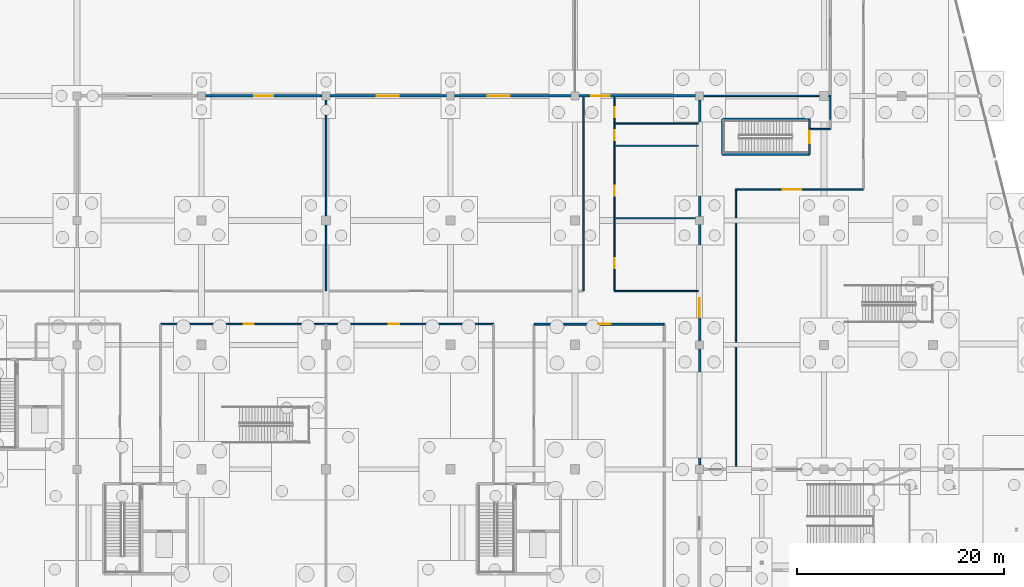
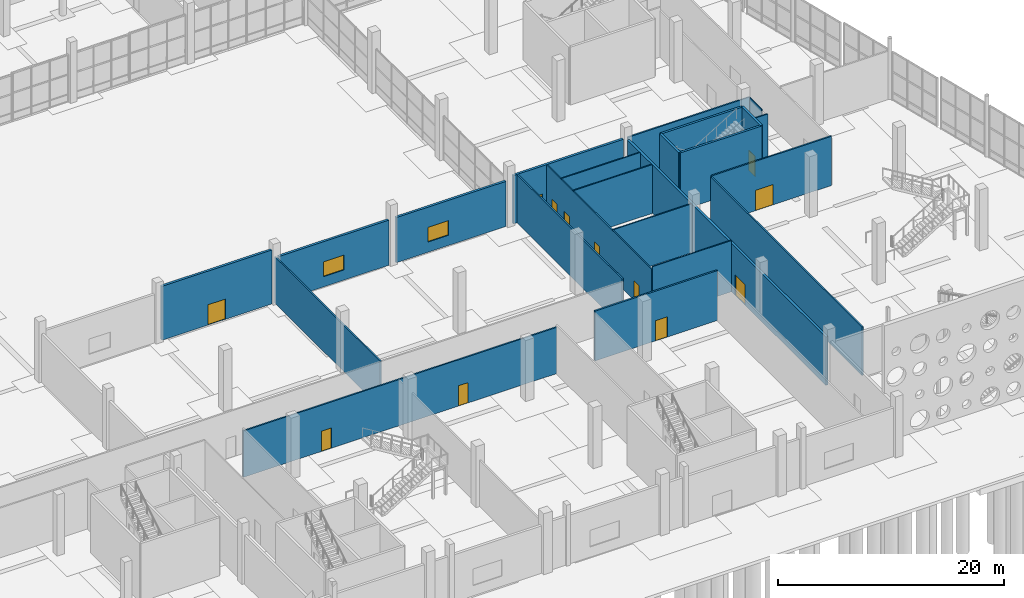
# One storey, part 90 of 117: 23 walls, 12 doors, 2 windows, 14 openings.
"""IFC4 building model written with IfcOpenShell, lengths in metres."""

from ifc_helpers import new_model, si_unit, direction, frame, frame_2d, origin, place, context, subcontext, project, spatial, rectangle, extrude, material, layer, layer_set, type_object, element, fill, save


model = new_model("IFC4")

# Units and contexts
model_context = context("Model", 3, precision=1e-05, world=origin(), true_north=direction((0.0, 1.0)))
body_context = subcontext(model_context, "Body", "Model", "MODEL_VIEW")
ifc_project = project(units=[si_unit("LENGTHUNIT", "METRE"), si_unit("AREAUNIT", "SQUARE_METRE"), si_unit("VOLUMEUNIT", "CUBIC_METRE"), si_unit("PLANEANGLEUNIT", "RADIAN"), si_unit("MASSUNIT", "GRAM", prefix="KILO")], contexts=[model_context])

# Site, building, storey
site_placement = place(None, origin())
site = spatial("IfcSite", under=ifc_project, at=site_placement, CompositionType="ELEMENT")
building_placement = place(site_placement, origin())
building = spatial("IfcBuilding", under=site, at=building_placement, Name="Kamomehara Wholesale Market", CompositionType="ELEMENT")
storey_placement = place(building_placement, origin())
storey = spatial("IfcBuildingStorey", under=building, at=storey_placement, Name="L00", CompositionType="ELEMENT", Elevation=0.0)

# Wall, opening, door
ifc_material_1 = material(Name="Precast concrete Fc45 (C40/50)", Category="concrete")
ifc_layer_1 = layer(ifc_material_1, 0.239990234375)
ifc_layer_set_1 = layer_set([ifc_layer_1], Name="Precast concrete Fc45 (C40/50)")
wall_type_1 = type_object("IfcWallType", Name="EW-PC-240", PredefinedType="SOLIDWALL", material=ifc_layer_set_1)
wall_1_placement = place(storey_placement, frame((120.375, 60.0, 0.0), z_axis=(0.0, 0.0, 1.0), x_axis=(1.0, 0.0, 0.0)))
wall_1 = element("IfcWall", 1, at=wall_1_placement, inside=storey, type_object=wall_type_1, Name="Exterior wall EW-PC-240 96", PredefinedType="SOLIDWALL", context=body_context, shape_type="SweptSolid", body=[
    extrude(rectangle(XDim=11.25, YDim=0.239990234375, at=frame_2d((5.625, 0.0))), origin(), (0.0, 0.0, 1.0), 5.843017578125),
])
opening_1_placement = place(wall_1_placement, frame((4.72509765625, 0.0, 0.0)))
opening_1 = element("IfcOpeningElement", 2, at=opening_1_placement, cuts=wall_1, Name="Opening ED-L00-V5N", PredefinedType="OPENING", context=body_context, shape_type="SweptSolid", body=[
    extrude(rectangle(XDim=1.800048828125, YDim=2.199951171875, at=frame_2d((0.89990234375, 1.10009765625))), frame((0.0, 0.134765625, 0.0), z_axis=(0.0, -1.0, 0.0), x_axis=(1.0, 0.0, 0.0)), (0.0, 0.0, 1.0), 0.269775390625),
])
ifc_material_2 = material(Name="Anodised aluminium 6063-T5", Category="aluminium")
door_type_1 = type_object("IfcDoorType", Name="EDR-1800x2200", OperationType="NOTDEFINED", PredefinedType="DOOR", material=ifc_material_2)
door_1_placement = place(opening_1_placement, origin())
door_1 = element("IfcDoor", 3, at=door_1_placement, inside=storey, type_object=door_type_1, Name="Courtyard entrance door ED-L00-V5N", OperationType="SINGLE_SWING_LEFT", OverallHeight=2.199951171875, OverallWidth=1.800048828125, PredefinedType="DOOR", context=body_context, shape_type="SweptSolid", body=[
    extrude(rectangle(XDim=1.800048828125, YDim=2.199951171875, at=frame_2d((0.89990234375, 1.10009765625))), frame((0.0, 0.02490234375, 0.0), z_axis=(0.0, -1.0, 0.0), x_axis=(1.0, 0.0, 0.0)), (0.0, 0.0, 1.0), 0.050048828125),
])
fill(opening_1, door_1)

# Wall, opening, window
wall_2_placement = place(storey_placement, frame((132.375, 60.0, 0.0), z_axis=(0.0, 0.0, 1.0), x_axis=(1.0, 0.0, 0.0)))
wall_2 = element("IfcWall", 4, at=wall_2_placement, inside=storey, type_object=wall_type_1, Name="Exterior wall EW-PC-240 98", PredefinedType="SOLIDWALL", context=body_context, shape_type="SweptSolid", body=[
    extrude(rectangle(XDim=11.25, YDim=0.239990234375, at=frame_2d((5.625, 0.0))), origin(), (0.0, 0.0, 1.0), 4.883056640625),
])
opening_2_placement = place(wall_2_placement, frame((4.52490234375, 0.0, 1.10009765625)))
opening_2 = element("IfcOpeningElement", 5, at=opening_2_placement, cuts=wall_2, Name="Opening WN-L00-019", PredefinedType="OPENING", context=body_context, shape_type="SweptSolid", body=[
    extrude(rectangle(XDim=2.10009765625, YDim=1.60009765625, at=frame_2d((1.050048828125, 0.800048828125))), frame((0.0, 0.134765625, 0.0), z_axis=(0.0, -1.0, 0.0), x_axis=(1.0, 0.0, 0.0)), (0.0, 0.0, 1.0), 0.269775390625),
])
ifc_material_3 = material(Name="Solar-control Low-E double glazing", Category="glass")
window_type = type_object("IfcWindowType", Name="WIN-2100x1600", PartitioningType="SINGLE_PANEL", PredefinedType="WINDOW", material=ifc_material_3)
window_1_placement = place(opening_2_placement, origin())
window_1 = element("IfcWindow", 6, at=window_1_placement, inside=storey, type_object=window_type, Name="Exterior window WN-L00-019", OverallHeight=1.60009765625, OverallWidth=2.10009765625, PartitioningType="SINGLE_PANEL", PredefinedType="WINDOW", context=body_context, shape_type="SweptSolid", body=[
    extrude(rectangle(XDim=2.10009765625, YDim=1.60009765625, at=frame_2d((1.050048828125, 0.800048828125))), frame((0.0, 0.030029296875, 0.0), z_axis=(0.0, -1.0, 0.0), x_axis=(1.0, 0.0, 0.0)), (0.0, 0.0, 1.0), 0.06005859375),
])
fill(opening_2, window_1)

wall_3_placement = place(storey_placement, frame((144.375, 60.0, 0.0), z_axis=(0.0, 0.0, 1.0), x_axis=(1.0, 0.0, 0.0)))
wall_3 = element("IfcWall", 7, at=wall_3_placement, inside=storey, type_object=wall_type_1, Name="Exterior wall EW-PC-240 100", PredefinedType="SOLIDWALL", context=body_context, shape_type="SweptSolid", body=[
    extrude(rectangle(XDim=11.25, YDim=0.239990234375, at=frame_2d((5.625, 0.0))), origin(), (0.0, 0.0, 1.0), 4.883056640625),
])
opening_3_placement = place(wall_3_placement, frame((3.22509765625, 0.0, 1.10009765625)))
opening_3 = element("IfcOpeningElement", 8, at=opening_3_placement, cuts=wall_3, Name="Opening WN-L00-020", PredefinedType="OPENING", context=body_context, shape_type="SweptSolid", body=[
    extrude(rectangle(XDim=2.10009765625, YDim=1.60009765625, at=frame_2d((1.050048828125, 0.800048828125))), frame((0.0, 0.134765625, 0.0), z_axis=(0.0, -1.0, 0.0), x_axis=(1.0, 0.0, 0.0)), (0.0, 0.0, 1.0), 0.269775390625),
])
window_2_placement = place(opening_3_placement, origin())
window_2 = element("IfcWindow", 9, at=window_2_placement, inside=storey, type_object=window_type, Name="Exterior window WN-L00-020", OverallHeight=1.60009765625, OverallWidth=2.10009765625, PartitioningType="SINGLE_PANEL", PredefinedType="WINDOW", context=body_context, shape_type="SweptSolid", body=[
    extrude(rectangle(XDim=2.10009765625, YDim=1.60009765625, at=frame_2d((1.050048828125, 0.800048828125))), frame((0.0, 0.030029296875, 0.0), z_axis=(0.0, -1.0, 0.0), x_axis=(1.0, 0.0, 0.0)), (0.0, 0.0, 1.0), 0.06005859375),
])
fill(opening_3, window_2)

# Wall, opening, door
wall_4_placement = place(storey_placement, frame((156.375, 60.0, 0.0), z_axis=(0.0, 0.0, 1.0), x_axis=(1.0, 0.0, 0.0)))
wall_4 = element("IfcWall", 10, at=wall_4_placement, inside=storey, type_object=wall_type_1, Name="Exterior wall EW-PC-240 102", PredefinedType="SOLIDWALL", context=body_context, shape_type="SweptSolid", body=[
    extrude(rectangle(XDim=11.25, YDim=0.239990234375, at=frame_2d((5.625, 0.0))), origin(), (0.0, 0.0, 1.0), 5.23291015625),
])
opening_4_placement = place(wall_4_placement, frame((1.175048828125, 0.0, 0.0)))
opening_4 = element("IfcOpeningElement", 11, at=opening_4_placement, cuts=wall_4, Name="Opening ED-L00-V2C", PredefinedType="OPENING", context=body_context, shape_type="SweptSolid", body=[
    extrude(rectangle(XDim=1.800048828125, YDim=2.199951171875, at=frame_2d((0.89990234375, 1.10009765625))), frame((0.0, 0.134765625, 0.0), z_axis=(0.0, -1.0, 0.0), x_axis=(1.0, 0.0, 0.0)), (0.0, 0.0, 1.0), 0.269775390625),
])
door_2_placement = place(opening_4_placement, origin())
door_2 = element("IfcDoor", 12, at=door_2_placement, inside=storey, type_object=door_type_1, Name="Courtyard lobby door ED-L00-V2C", OperationType="SINGLE_SWING_LEFT", OverallHeight=2.199951171875, OverallWidth=1.800048828125, PredefinedType="DOOR", context=body_context, shape_type="SweptSolid", body=[
    extrude(rectangle(XDim=1.800048828125, YDim=2.199951171875, at=frame_2d((0.89990234375, 1.10009765625))), frame((0.0, 0.02490234375, 0.0), z_axis=(0.0, -1.0, 0.0), x_axis=(1.0, 0.0, 0.0)), (0.0, 0.0, 1.0), 0.050048828125),
])
fill(opening_4, door_2)

# Walls
ifc_material_4 = material(Name="Gypsum board partition")
ifc_layer_2 = layer(ifc_material_4, 0.10009765625)
ifc_layer_set_2 = layer_set([ifc_layer_2], Name="Gypsum board partition")
wall_type_2 = type_object("IfcWallType", Name="IW-PRT-100", PredefinedType="PARTITIONING", material=ifc_layer_set_2)
wall_5_placement = place(storey_placement, frame((180.60009765625, 57.760009765625, 0.0), z_axis=(0.0, 0.0, 1.0), x_axis=(0.0, 1.0, 0.0)))
element("IfcWall", 13, at=wall_5_placement, inside=storey, type_object=wall_type_2, Name="Interior wall IW-PRT-100 268", PredefinedType="PARTITIONING", context=body_context, shape_type="SweptSolid", body=[
    extrude(rectangle(XDim=2.239990234375, YDim=0.10009765625, at=frame_2d((1.1201171875, 0.0))), origin(), (0.0, 0.0, 1.0), 5.23291015625),
])
ifc_material_5 = material(Name="Gypsum board partition")
ifc_layer_3 = layer(ifc_material_5, 0.125)
ifc_layer_set_3 = layer_set([ifc_layer_3], Name="Gypsum board partition")
wall_type_3 = type_object("IfcWallType", Name="IW-PRT-125", PredefinedType="PARTITIONING", material=ifc_layer_set_3)
wall_6_placement = place(storey_placement, frame((159.800048828125, 41.199951171875, 0.0), z_axis=(0.0, 0.0, 1.0), x_axis=(1.0, 0.0, 0.0)))
element("IfcWall", 14, at=wall_6_placement, inside=storey, type_object=wall_type_3, Name="Interior wall IW-PRT-125 256", PredefinedType="PARTITIONING", context=body_context, shape_type="SweptSolid", body=[
    extrude(rectangle(XDim=8.079833984375, YDim=0.125, at=frame_2d((4.0400390625, 0.0))), origin(), (0.0, 0.0, 1.0), 5.54296875),
])

# Wall, openings, doors
wall_7_placement = place(storey_placement, frame((159.800048828125, 41.199951171875, 0.0), z_axis=(0.0, 0.0, 1.0), x_axis=(0.0, 1.0, 0.0)))
wall_7 = element("IfcWall", 15, at=wall_7_placement, inside=storey, type_object=wall_type_3, Name="Interior wall IW-PRT-125 262", PredefinedType="PARTITIONING", context=body_context, shape_type="SweptSolid", body=[
    extrude(rectangle(XDim=18.679931640625, YDim=0.125, at=frame_2d((9.33984375, 0.0))), origin(), (0.0, 0.0, 1.0), 5.238037109375),
])
opening_5_placement = place(wall_7_placement, frame((2.199951171875, 0.0, 0.0)))
opening_5 = element("IfcOpeningElement", 16, at=opening_5_placement, cuts=wall_7, Name="Opening ID-L00-159", PredefinedType="OPENING", context=body_context, shape_type="SweptSolid", body=[
    extrude(rectangle(XDim=0.949951171875, YDim=2.10009765625, at=frame_2d((0.47509765625, 1.050048828125))), frame((0.0, 0.077392578125, 0.0), z_axis=(0.0, -1.0, 0.0), x_axis=(1.0, 0.0, 0.0)), (0.0, 0.0, 1.0), 0.15478515625),
])
opening_6_placement = place(wall_7_placement, frame((9.199951171875, 0.0, 0.0)))
opening_6 = element("IfcOpeningElement", 17, at=opening_6_placement, cuts=wall_7, Name="Opening ID-L00-160", PredefinedType="OPENING", context=body_context, shape_type="SweptSolid", body=[
    extrude(rectangle(XDim=0.949951171875, YDim=2.10009765625, at=frame_2d((0.47509765625, 1.050048828125))), frame((0.0, 0.077392578125, 0.0), z_axis=(0.0, -1.0, 0.0), x_axis=(1.0, 0.0, 0.0)), (0.0, 0.0, 1.0), 0.15478515625),
])
opening_7_placement = place(wall_7_placement, frame((14.550048828125, 0.0, 0.0)))
opening_7 = element("IfcOpeningElement", 18, at=opening_7_placement, cuts=wall_7, Name="Opening ID-L00-161", PredefinedType="OPENING", context=body_context, shape_type="SweptSolid", body=[
    extrude(rectangle(XDim=0.949951171875, YDim=2.10009765625, at=frame_2d((0.47509765625, 1.050048828125))), frame((0.0, 0.077392578125, 0.0), z_axis=(0.0, -1.0, 0.0), x_axis=(1.0, 0.0, 0.0)), (0.0, 0.0, 1.0), 0.15478515625),
])
opening_8_placement = place(wall_7_placement, frame((16.75, 0.0, 0.0)))
opening_8 = element("IfcOpeningElement", 19, at=opening_8_placement, cuts=wall_7, Name="Opening ID-L00-162", PredefinedType="OPENING", context=body_context, shape_type="SweptSolid", body=[
    extrude(rectangle(XDim=0.949951171875, YDim=2.10009765625, at=frame_2d((0.47509765625, 1.050048828125))), frame((0.0, 0.077392578125, 0.0), z_axis=(0.0, -1.0, 0.0), x_axis=(1.0, 0.0, 0.0)), (0.0, 0.0, 1.0), 0.15478515625),
])
ifc_material_6 = material(Name="Anodised aluminium 6063-T5", Category="aluminium")
door_type_2 = type_object("IfcDoorType", Name="IDR-WC-950x2100", OperationType="NOTDEFINED", PredefinedType="DOOR", material=ifc_material_6)
door_3_placement = place(opening_5_placement, origin())
door_3 = element("IfcDoor", 20, at=door_3_placement, inside=storey, type_object=door_type_2, Name="Interior door ID-L00-159", OperationType="SINGLE_SWING_LEFT", OverallHeight=2.10009765625, OverallWidth=0.949951171875, PredefinedType="DOOR", context=body_context, shape_type="SweptSolid", body=[
    extrude(rectangle(XDim=0.949951171875, YDim=2.10009765625, at=frame_2d((0.47509765625, 1.050048828125))), frame((0.0, 0.02490234375, 0.0), z_axis=(0.0, -1.0, 0.0), x_axis=(1.0, 0.0, 0.0)), (0.0, 0.0, 1.0), 0.050048828125),
])
fill(opening_5, door_3)
door_4_placement = place(opening_6_placement, origin())
door_4 = element("IfcDoor", 21, at=door_4_placement, inside=storey, type_object=door_type_2, Name="Interior door ID-L00-160", OperationType="SINGLE_SWING_RIGHT", OverallHeight=2.10009765625, OverallWidth=0.949951171875, PredefinedType="DOOR", context=body_context, shape_type="SweptSolid", body=[
    extrude(rectangle(XDim=0.949951171875, YDim=2.10009765625, at=frame_2d((0.47509765625, 1.050048828125))), frame((0.0, 0.02490234375, 0.0), z_axis=(0.0, -1.0, 0.0), x_axis=(1.0, 0.0, 0.0)), (0.0, 0.0, 1.0), 0.050048828125),
])
fill(opening_6, door_4)
door_5_placement = place(opening_7_placement, origin())
door_5 = element("IfcDoor", 22, at=door_5_placement, inside=storey, type_object=door_type_2, Name="Interior door ID-L00-161", OperationType="SINGLE_SWING_LEFT", OverallHeight=2.10009765625, OverallWidth=0.949951171875, PredefinedType="DOOR", context=body_context, shape_type="SweptSolid", body=[
    extrude(rectangle(XDim=0.949951171875, YDim=2.10009765625, at=frame_2d((0.47509765625, 1.050048828125))), frame((0.0, 0.02490234375, 0.0), z_axis=(0.0, -1.0, 0.0), x_axis=(1.0, 0.0, 0.0)), (0.0, 0.0, 1.0), 0.050048828125),
])
fill(opening_7, door_5)
door_6_placement = place(opening_8_placement, origin())
door_6 = element("IfcDoor", 23, at=door_6_placement, inside=storey, type_object=door_type_2, Name="Interior door ID-L00-162", OperationType="SINGLE_SWING_RIGHT", OverallHeight=2.10009765625, OverallWidth=0.949951171875, PredefinedType="DOOR", context=body_context, shape_type="SweptSolid", body=[
    extrude(rectangle(XDim=0.949951171875, YDim=2.10009765625, at=frame_2d((0.47509765625, 1.050048828125))), frame((0.0, 0.02490234375, 0.0), z_axis=(0.0, -1.0, 0.0), x_axis=(1.0, 0.0, 0.0)), (0.0, 0.0, 1.0), 0.050048828125),
])
fill(opening_8, door_6)

# Walls
for number, where, z_axis, x_axis, name in (
    (24, (159.800048828125, 48.199951171875, 0.0), (0.0, 0.0, 1.0), (1.0, 0.0, 0.0), "Interior wall IW-PRT-125 263"),
    (25, (159.800048828125, 55.199951171875, 0.0), (0.0, 0.0, 1.0), (1.0, 0.0, 0.0), "Interior wall IW-PRT-125 264"),
    (26, (159.800048828125, 57.35009765625, 0.0), (0.0, 0.0, 1.0), (1.0, 0.0, 0.0), "Interior wall IW-PRT-125 265"),
):
    element("IfcWall", number, at=place(storey_placement, frame(where, z_axis=z_axis, x_axis=x_axis)), inside=storey, type_object=wall_type_3, Name=name, PredefinedType="PARTITIONING", context=body_context, shape_type="SweptSolid", body=[
        extrude(rectangle(XDim=8.079833984375, YDim=0.125, at=frame_2d((4.0400390625, 0.0))), origin(), (0.0, 0.0, 1.0), 5.282958984375),
    ])

# Wall, openings, doors
ifc_material_7 = material(Name="Gypsum board partition")
ifc_layer_4 = layer(ifc_material_7, 0.14990234375)
ifc_layer_set_4 = layer_set([ifc_layer_4], Name="Gypsum board partition")
wall_type_4 = type_object("IfcWallType", Name="IW-PRT-150", PredefinedType="PARTITIONING", material=ifc_layer_set_4)
wall_8_placement = place(storey_placement, frame((116.050048828125, 38.0, 0.0), z_axis=(0.0, 0.0, 1.0), x_axis=(1.0, 0.0, 0.0)))
wall_8 = element("IfcWall", 27, at=wall_8_placement, inside=storey, type_object=wall_type_4, Name="Interior wall IW-PRT-150 250", PredefinedType="PARTITIONING", context=body_context, shape_type="SweptSolid", body=[
    extrude(rectangle(XDim=32.099853515625, YDim=0.14990234375, at=frame_2d((16.0498046875, 0.0))), origin(), (0.0, 0.0, 1.0), 5.012939453125),
])
opening_9_placement = place(wall_8_placement, frame((8.0, 0.0, 0.0)))
opening_9 = element("IfcOpeningElement", 28, at=opening_9_placement, cuts=wall_8, Name="Opening ID-L00-152", PredefinedType="OPENING", context=body_context, shape_type="SweptSolid", body=[
    extrude(rectangle(XDim=1.0, YDim=2.199951171875, at=frame_2d((0.5, 1.10009765625))), frame((0.0, 0.08984375, 0.0), z_axis=(0.0, -1.0, 0.0), x_axis=(1.0, 0.0, 0.0)), (0.0, 0.0, 1.0), 0.1796875),
])
opening_10_placement = place(wall_8_placement, frame((22.0, 0.0, 0.0)))
opening_10 = element("IfcOpeningElement", 29, at=opening_10_placement, cuts=wall_8, Name="Opening ID-L00-153", PredefinedType="OPENING", context=body_context, shape_type="SweptSolid", body=[
    extrude(rectangle(XDim=1.0, YDim=2.199951171875, at=frame_2d((0.5, 1.10009765625))), frame((0.0, 0.08984375, 0.0), z_axis=(0.0, -1.0, 0.0), x_axis=(1.0, 0.0, 0.0)), (0.0, 0.0, 1.0), 0.1796875),
])
ifc_material_8 = material(Name="Anodised aluminium 6063-T5", Category="aluminium")
door_type_3 = type_object("IfcDoorType", Name="IDR-RM-1000x2200", OperationType="NOTDEFINED", PredefinedType="DOOR", material=ifc_material_8)
door_7_placement = place(opening_9_placement, origin())
door_7 = element("IfcDoor", 30, at=door_7_placement, inside=storey, type_object=door_type_3, Name="Interior door ID-L00-152", OperationType="SINGLE_SWING_RIGHT", OverallHeight=2.199951171875, OverallWidth=1.0, PredefinedType="DOOR", context=body_context, shape_type="SweptSolid", body=[
    extrude(rectangle(XDim=1.0, YDim=2.199951171875, at=frame_2d((0.5, 1.10009765625))), frame((0.0, 0.02490234375, 0.0), z_axis=(0.0, -1.0, 0.0), x_axis=(1.0, 0.0, 0.0)), (0.0, 0.0, 1.0), 0.050048828125),
])
fill(opening_9, door_7)
door_8_placement = place(opening_10_placement, origin())
door_8 = element("IfcDoor", 31, at=door_8_placement, inside=storey, type_object=door_type_3, Name="Interior door ID-L00-153", OperationType="SINGLE_SWING_LEFT", OverallHeight=2.199951171875, OverallWidth=1.0, PredefinedType="DOOR", context=body_context, shape_type="SweptSolid", body=[
    extrude(rectangle(XDim=1.0, YDim=2.199951171875, at=frame_2d((0.5, 1.10009765625))), frame((0.0, 0.02490234375, 0.0), z_axis=(0.0, -1.0, 0.0), x_axis=(1.0, 0.0, 0.0)), (0.0, 0.0, 1.0), 0.050048828125),
])
fill(opening_10, door_8)

# Walls
wall_9_placement = place(storey_placement, frame((132.0, 41.199951171875, 0.0), z_axis=(0.0, 0.0, 1.0), x_axis=(0.0, 1.0, 0.0)))
element("IfcWall", 32, at=wall_9_placement, inside=storey, type_object=wall_type_4, Name="Interior wall IW-PRT-150 260", PredefinedType="PARTITIONING", context=body_context, shape_type="SweptSolid", body=[
    extrude(rectangle(XDim=18.679931640625, YDim=0.14990234375, at=frame_2d((9.33984375, 0.0))), origin(), (0.0, 0.0, 1.0), 5.012939453125),
])
wall_10_placement = place(storey_placement, frame((156.800048828125, 41.199951171875, 0.0), z_axis=(0.0, 0.0, 1.0), x_axis=(0.0, 1.0, 0.0)))
element("IfcWall", 33, at=wall_10_placement, inside=storey, type_object=wall_type_4, Name="Interior wall IW-PRT-150 261", PredefinedType="PARTITIONING", context=body_context, shape_type="SweptSolid", body=[
    extrude(rectangle(XDim=18.679931640625, YDim=0.14990234375, at=frame_2d((9.33984375, 0.0))), origin(), (0.0, 0.0, 1.0), 5.238037109375),
])
wall_11_placement = place(storey_placement, frame((178.60009765625, 56.800048828125, 0.0), z_axis=(0.0, 0.0, 1.0), x_axis=(1.0, 0.0, 0.0)))
element("IfcWall", 34, at=wall_11_placement, inside=storey, type_object=wall_type_4, Name="Interior wall IW-PRT-150 267", PredefinedType="PARTITIONING", context=body_context, shape_type="SweptSolid", body=[
    extrude(rectangle(XDim=2.0, YDim=0.14990234375, at=frame_2d((1.0, 0.0))), origin(), (0.0, 0.0, 1.0), 5.3330078125),
])
wall_12_placement = place(storey_placement, frame((171.5, 24.1298828125, 0.0), z_axis=(0.0, 0.0, 1.0), x_axis=(0.0, 1.0, 0.0)))
element("IfcWall", 35, at=wall_12_placement, inside=storey, type_object=wall_type_4, Name="Interior wall IW-PRT-150 269", PredefinedType="PARTITIONING", context=body_context, shape_type="SweptSolid", body=[
    extrude(rectangle(XDim=26.8701171875, YDim=0.14990234375, at=frame_2d((13.43505859375, 0.0))), origin(), (0.0, 0.0, 1.0), 5.23291015625),
])

# Wall, opening, door
wall_13_placement = place(storey_placement, frame((171.5, 51.0, 0.0), z_axis=(0.0, 0.0, 1.0), x_axis=(1.0, 0.0, 0.0)))
wall_13 = element("IfcWall", 36, at=wall_13_placement, inside=storey, type_object=wall_type_4, Name="Interior wall IW-PRT-150 270", PredefinedType="PARTITIONING", context=body_context, shape_type="SweptSolid", body=[
    extrude(rectangle(XDim=12.300048828125, YDim=0.14990234375, at=frame_2d((6.14990234375, 0.0))), origin(), (0.0, 0.0, 1.0), 5.3330078125),
])
opening_11_placement = place(wall_13_placement, frame((4.5, 0.0, 0.0)))
opening_11 = element("IfcOpeningElement", 37, at=opening_11_placement, cuts=wall_13, Name="Opening ID-L00-164", PredefinedType="OPENING", context=body_context, shape_type="SweptSolid", body=[
    extrude(rectangle(XDim=1.800048828125, YDim=2.199951171875, at=frame_2d((0.89990234375, 1.10009765625))), frame((0.0, 0.08984375, 0.0), z_axis=(0.0, -1.0, 0.0), x_axis=(1.0, 0.0, 0.0)), (0.0, 0.0, 1.0), 0.1796875),
])
ifc_material_9 = material(Name="Steel SN400B", Category="steel")
door_type_4 = type_object("IfcDoorType", Name="IDR-FD-1800x2200", OperationType="NOTDEFINED", PredefinedType="DOOR", material=ifc_material_9)
door_9_placement = place(opening_11_placement, origin())
door_9 = element("IfcDoor", 38, at=door_9_placement, inside=storey, type_object=door_type_4, Name="Interior door ID-L00-164", OperationType="SINGLE_SWING_RIGHT", OverallHeight=2.199951171875, OverallWidth=1.800048828125, PredefinedType="DOOR", context=body_context, shape_type="SweptSolid", body=[
    extrude(rectangle(XDim=1.800048828125, YDim=2.199951171875, at=frame_2d((0.89990234375, 1.10009765625))), frame((0.0, 0.02490234375, 0.0), z_axis=(0.0, -1.0, 0.0), x_axis=(1.0, 0.0, 0.0)), (0.0, 0.0, 1.0), 0.050048828125),
])
fill(opening_11, door_9)

# Wall
wall_14_placement = place(storey_placement, frame((168.1201171875, 60.0, 0.0), z_axis=(0.0, 0.0, 1.0), x_axis=(1.0, 0.0, 0.0)))
element("IfcWall", 39, at=wall_14_placement, inside=storey, type_object=wall_type_4, Name="Interior wall IW-PRT-150 275", PredefinedType="PARTITIONING", context=body_context, shape_type="SweptSolid", body=[
    extrude(rectangle(XDim=12.47998046875, YDim=0.14990234375, at=frame_2d((6.239990234375, 0.0))), origin(), (0.0, 0.0, 1.0), 5.23291015625),
])

# Wall, opening, door
ifc_material_10 = material(Name="Gypsum board partition")
ifc_layer_5 = layer(ifc_material_10, 0.175048828125)
ifc_layer_set_5 = layer_set([ifc_layer_5], Name="Gypsum board partition")
wall_type_5 = type_object("IfcWallType", Name="IW-PRT-175", PredefinedType="PARTITIONING", material=ifc_layer_set_5)
wall_15_placement = place(storey_placement, frame((152.050048828125, 38.0, 0.0), z_axis=(0.0, 0.0, 1.0), x_axis=(1.0, 0.0, 0.0)))
wall_15 = element("IfcWall", 40, at=wall_15_placement, inside=storey, type_object=wall_type_5, Name="Interior wall IW-PRT-175 253", PredefinedType="PARTITIONING", context=body_context, shape_type="SweptSolid", body=[
    extrude(rectangle(XDim=12.550048828125, YDim=0.175048828125, at=frame_2d((6.27490234375, 0.0))), origin(), (0.0, 0.0, 1.0), 5.39306640625),
])
opening_12_placement = place(wall_15_placement, frame((6.199951171875, 0.0, 0.0)))
opening_12 = element("IfcOpeningElement", 41, at=opening_12_placement, cuts=wall_15, Name="Opening ID-L00-155", PredefinedType="OPENING", context=body_context, shape_type="SweptSolid", body=[
    extrude(rectangle(XDim=1.199951171875, YDim=2.199951171875, at=frame_2d((0.60009765625, 1.10009765625))), frame((0.0, 0.1025390625, 0.0), z_axis=(0.0, -1.0, 0.0), x_axis=(1.0, 0.0, 0.0)), (0.0, 0.0, 1.0), 0.204833984375),
])
ifc_material_11 = material(Name="Steel SN400B", Category="steel")
door_type_5 = type_object("IfcDoorType", Name="IDR-FD-1200x2200", OperationType="NOTDEFINED", PredefinedType="DOOR", material=ifc_material_11)
door_10_placement = place(opening_12_placement, origin())
door_10 = element("IfcDoor", 42, at=door_10_placement, inside=storey, type_object=door_type_5, Name="Interior door ID-L00-155", OperationType="SINGLE_SWING_LEFT", OverallHeight=2.199951171875, OverallWidth=1.199951171875, PredefinedType="DOOR", context=body_context, shape_type="SweptSolid", body=[
    extrude(rectangle(XDim=1.199951171875, YDim=2.199951171875, at=frame_2d((0.60009765625, 1.10009765625))), frame((0.0, 0.02490234375, 0.0), z_axis=(0.0, -1.0, 0.0), x_axis=(1.0, 0.0, 0.0)), (0.0, 0.0, 1.0), 0.050048828125),
])
fill(opening_12, door_10)

# Walls
ifc_material_12 = material(Name="Concrete Fc36 (C35/45)", Category="concrete")
ifc_layer_6 = layer(ifc_material_12, 0.219970703125)
ifc_layer_set_6 = layer_set([ifc_layer_6], Name="Concrete Fc36 (C35/45)")
wall_type_6 = type_object("IfcWallType", Name="IW-SHR-220", PredefinedType="SHEAR", material=ifc_layer_set_6)
wall_16_placement = place(storey_placement, frame((170.219970703125, 57.760009765625, 0.0), z_axis=(0.0, 0.0, 1.0), x_axis=(0.0, -1.0, 0.0)))
element("IfcWall", 43, at=wall_16_placement, inside=storey, type_object=wall_type_6, Name="Interior wall IW-SHR-220 151", PredefinedType="SHEAR", context=body_context, shape_type="SweptSolid", body=[
    extrude(rectangle(XDim=3.389892578125, YDim=0.219970703125, at=frame_2d((1.69482421875, 0.0))), origin(), (0.0, 0.0, 1.0), 6.25),
])
wall_17_placement = place(storey_placement, frame((170.219970703125, 54.3701171875, 0.0), z_axis=(0.0, 0.0, 1.0), x_axis=(1.0, 0.0, 0.0)))
element("IfcWall", 44, at=wall_17_placement, inside=storey, type_object=wall_type_6, Name="Interior wall IW-SHR-220 152", PredefinedType="SHEAR", context=body_context, shape_type="SweptSolid", body=[
    extrude(rectangle(XDim=8.380126953125, YDim=0.219970703125, at=frame_2d((4.18994140625, 0.0))), origin(), (0.0, 0.0, 1.0), 6.25),
])

# Wall, opening, door
wall_18_placement = place(storey_placement, frame((178.60009765625, 54.3701171875, 0.0), z_axis=(0.0, 0.0, 1.0), x_axis=(0.0, 1.0, 0.0)))
wall_18 = element("IfcWall", 45, at=wall_18_placement, inside=storey, type_object=wall_type_6, Name="Interior wall IW-SHR-220 153", PredefinedType="SHEAR", context=body_context, shape_type="SweptSolid", body=[
    extrude(rectangle(XDim=3.389892578125, YDim=0.219970703125, at=frame_2d((1.69482421875, 0.0))), origin(), (0.0, 0.0, 1.0), 6.25),
])
opening_13_placement = place(wall_18_placement, frame((1.090087890625, 0.0, 0.0)))
opening_13 = element("IfcOpeningElement", 46, at=opening_13_placement, cuts=wall_18, Name="Opening FD-ST-10-L00", PredefinedType="OPENING", context=body_context, shape_type="SweptSolid", body=[
    extrude(rectangle(XDim=1.199951171875, YDim=2.199951171875, at=frame_2d((0.60009765625, 1.10009765625))), frame((0.0, 0.125, 0.0), z_axis=(0.0, -1.0, 0.0), x_axis=(1.0, 0.0, 0.0)), (0.0, 0.0, 1.0), 0.249755859375),
])
door_11_placement = place(opening_13_placement, origin())
door_11 = element("IfcDoor", 47, at=door_11_placement, inside=storey, type_object=door_type_5, Name="Stair fire door FD-ST-10-L00", OperationType="SINGLE_SWING_RIGHT", OverallHeight=2.199951171875, OverallWidth=1.199951171875, PredefinedType="DOOR", context=body_context, shape_type="SweptSolid", body=[
    extrude(rectangle(XDim=1.199951171875, YDim=2.199951171875, at=frame_2d((0.60009765625, 1.10009765625))), frame((0.0, 0.02490234375, 0.0), z_axis=(0.0, -1.0, 0.0), x_axis=(1.0, 0.0, 0.0)), (0.0, 0.0, 1.0), 0.050048828125),
])
fill(opening_13, door_11)

# Wall
wall_19_placement = place(storey_placement, frame((178.60009765625, 57.760009765625, 0.0), z_axis=(0.0, 0.0, 1.0), x_axis=(-1.0, 0.0, 0.0)))
element("IfcWall", 48, at=wall_19_placement, inside=storey, type_object=wall_type_6, Name="Interior wall IW-SHR-220 154", PredefinedType="SHEAR", context=body_context, shape_type="SweptSolid", body=[
    extrude(rectangle(XDim=8.380126953125, YDim=0.219970703125, at=frame_2d((4.18994140625, 0.0))), origin(), (0.0, 0.0, 1.0), 6.25),
])

# Wall, opening, door
ifc_material_13 = material(Name="Concrete Fc36 (C35/45)", Category="concrete")
ifc_layer_7 = layer(ifc_material_13, 0.239990234375)
ifc_layer_set_7 = layer_set([ifc_layer_7], Name="Concrete Fc36 (C35/45)")
wall_type_7 = type_object("IfcWallType", Name="IW-SHR-240", PredefinedType="SHEAR", material=ifc_layer_set_7)
wall_20_placement = place(storey_placement, frame((168.0, 24.39990234375, 0.0), z_axis=(0.0, 0.0, 1.0), x_axis=(0.0, 1.0, 0.0)))
wall_20 = element("IfcWall", 49, at=wall_20_placement, inside=storey, type_object=wall_type_7, Name="Interior wall IW-SHR-240 266", PredefinedType="SHEAR", context=body_context, shape_type="SweptSolid", body=[
    extrude(rectangle(XDim=35.2001953125, YDim=0.239990234375, at=frame_2d((17.60009765625, 0.0))), origin(), (0.0, 0.0, 1.0), 5.23291015625),
])
opening_14_placement = place(wall_20_placement, frame((14.300048828125, 0.0, 0.0)))
opening_14 = element("IfcOpeningElement", 50, at=opening_14_placement, cuts=wall_20, Name="Opening ID-L00-163", PredefinedType="OPENING", context=body_context, shape_type="SweptSolid", body=[
    extrude(rectangle(XDim=1.800048828125, YDim=2.199951171875, at=frame_2d((0.89990234375, 1.10009765625))), frame((0.0, 0.134765625, 0.0), z_axis=(0.0, -1.0, 0.0), x_axis=(1.0, 0.0, 0.0)), (0.0, 0.0, 1.0), 0.269775390625),
])
door_12_placement = place(opening_14_placement, origin())
door_12 = element("IfcDoor", 51, at=door_12_placement, inside=storey, type_object=door_type_4, Name="Interior door ID-L00-163", OperationType="SINGLE_SWING_LEFT", OverallHeight=2.199951171875, OverallWidth=1.800048828125, PredefinedType="DOOR", context=body_context, shape_type="SweptSolid", body=[
    extrude(rectangle(XDim=1.800048828125, YDim=2.199951171875, at=frame_2d((0.89990234375, 1.10009765625))), frame((0.0, 0.02490234375, 0.0), z_axis=(0.0, -1.0, 0.0), x_axis=(1.0, 0.0, 0.0)), (0.0, 0.0, 1.0), 0.050048828125),
])
fill(opening_14, door_12)

save(model, "model.ifc")
